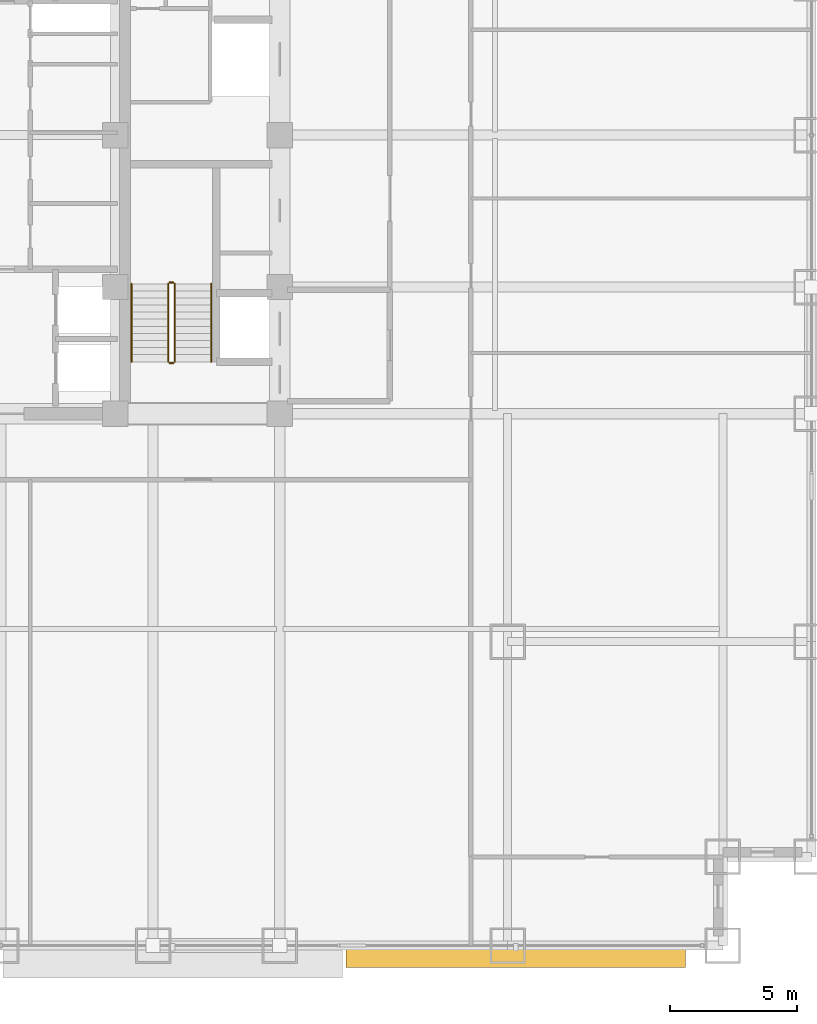
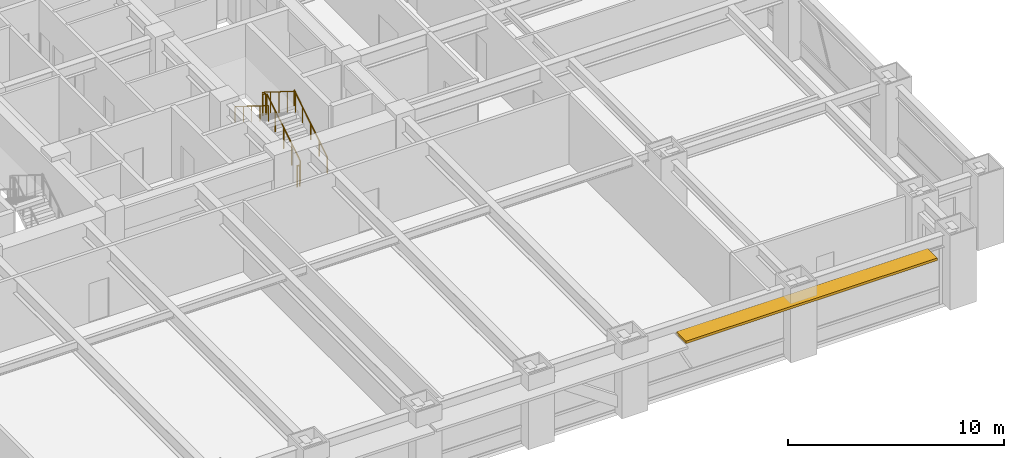
# One storey, part 30 of 32: 6 railings, 1 shading device.
"""IFC4 building model written with IfcOpenShell, lengths in metres."""

from ifc_helpers import new_model, si_unit, direction, frame, origin, origin_2d, place, context, subcontext, project, spatial, rectangle, circle, extrude, source, transform, mapped, material, layer, layer_set, type_object, element, save


model = new_model("IFC4")

# Units and contexts
model_context = context("Model", 3, precision=1e-05, world=origin(), true_north=direction((0.0, 1.0)))
body_context = subcontext(model_context, "Body", "Model", "MODEL_VIEW")
ifc_project = project(units=[si_unit("LENGTHUNIT", "METRE"), si_unit("AREAUNIT", "SQUARE_METRE"), si_unit("VOLUMEUNIT", "CUBIC_METRE"), si_unit("PLANEANGLEUNIT", "RADIAN"), si_unit("MASSUNIT", "GRAM", prefix="KILO")], contexts=[model_context])

# Site, building, storey
site_placement = place(None, origin())
site = spatial("IfcSite", under=ifc_project, at=site_placement, CompositionType="ELEMENT")
building_placement = place(site_placement, origin())
building = spatial("IfcBuilding", under=site, at=building_placement, Name="Khorayat Bourse Tower", CompositionType="ELEMENT")
storey_placement = place(building_placement, frame((0.0, 0.0, 74.60009765625)))
storey = spatial("IfcBuildingStorey", under=building, at=storey_placement, Name="L16", CompositionType="ELEMENT", Elevation=74.60009765625)

# Shading device
ifc_material_1 = material(Name="Precast concrete C45/55", Category="concrete")
ifc_layer = layer(ifc_material_1, 0.139892578125)
ifc_layer_set = layer_set([ifc_layer], Name="Precast concrete C45/55")
shading_device_type = type_object("IfcShadingDeviceType", Name="SHD-WAVE-TRAY-B", PredefinedType="USERDEFINED", material=ifc_layer_set)
shared_shape_1 = source(origin(), body_context, "Body", "SweptSolid", [
    extrude(rectangle(XDim=13.409912109375, YDim=0.892333984375, at=origin_2d()), origin(), (0.0, 0.0, 1.0), 0.139892578125),
])
shading_device_placement = place(storey_placement, frame((20.324951171875, -32.42626953125, 3.18994140625), z_axis=(0.0, 0.0, 1.0), x_axis=(1.0, 0.0, 0.0)))
element("IfcShadingDevice", 1, at=shading_device_placement, inside=storey, type_object=shading_device_type, Name="L16 Sinusoidal Wave Sunshade Tray S-4", ObjectType="SUNSHADE", PredefinedType="USERDEFINED", context=body_context, shape_type="MappedRepresentation", body=[
    mapped(shared_shape_1, transform((0.0, 0.0, 0.0), scale=1.0)),
])

# Railings
ifc_material_2 = material(Name="Powder-coated steel balustrade", Category="steel")
railing_type_1 = type_object("IfcRailingType", Name="RLG-GUARD-1200", PredefinedType="GUARDRAIL", material=ifc_material_2)
shared_shape_2 = source(origin(), body_context, "Body", "SweptSolid", [
    extrude(circle(Radius=0.02392578125, at=origin_2d()), frame((0.0, 0.0, 1.17578125), z_axis=(-1.0, 0.0, 0.0), x_axis=(0.0, -1.0, 0.0)), (0.0, 0.0, 1.0), 0.150146484375),
    extrude(circle(Radius=0.02099609375, at=origin_2d()), origin(), (0.0, 0.0, 1.0), 1.15185546875),
    extrude(circle(Radius=0.02099609375, at=origin_2d()), frame((-0.150146484375, 0.0, 0.0)), (0.0, 0.0, 1.0), 1.15185546875),
])
for number, where, name in (
    (2, (6.800048828125, -5.820068359375, 2.099853515625), "L16 ST-3 stair guard 2"),
    (3, (6.800048828125, -9.0, 0.0), "L16 ST-3 stair guard 4"),
):
    element("IfcRailing", number, at=place(storey_placement, frame(where)), inside=storey, type_object=railing_type_1, Name=name, PredefinedType="GUARDRAIL", context=body_context, shape_type="MappedRepresentation", body=[
        mapped(shared_shape_2, transform((0.0, 0.0, 0.0), scale=1.0)),
    ])
shared_shape_3 = source(origin(), body_context, "Body", "SweptSolid", [
    extrude(circle(Radius=0.02392578125, at=origin_2d()), frame((0.0, 0.0, 1.17578125), z_axis=(0.0, 0.847979421464, 0.530029150871), x_axis=(-1.0, 0.0, 0.0)), (0.0, 0.0, 1.0), 3.632080078125),
    extrude(circle(Radius=0.02099609375, at=origin_2d()), origin(), (0.0, 0.0, 1.0), 1.15185546875),
    extrude(circle(Radius=0.02099609375, at=origin_2d()), frame((0.0, 0.77001953125, 0.481201171875)), (0.0, 0.0, 1.0), 1.15185546875),
    extrude(circle(Radius=0.02099609375, at=origin_2d()), frame((0.0, 1.5400390625, 0.96240234375)), (0.0, 0.0, 1.0), 1.15185546875),
    extrude(circle(Radius=0.02099609375, at=origin_2d()), frame((0.0, 2.309814453125, 1.44384765625)), (0.0, 0.0, 1.0), 1.15185546875),
    extrude(circle(Radius=0.02099609375, at=origin_2d()), frame((0.0, 3.079833984375, 1.925048828125)), (0.0, 0.0, 1.0), 1.15185546875),
])
railing_1_placement = place(storey_placement, frame((6.85009765625, -8.949951171875, 0.1748046875)))
element("IfcRailing", 4, at=railing_1_placement, inside=storey, type_object=railing_type_1, Name="L16 ST-3 stair guard 1", PredefinedType="GUARDRAIL", context=body_context, shape_type="MappedRepresentation", body=[
    mapped(shared_shape_3, transform((0.0, 0.0, 0.0), scale=1.0)),
])
shared_shape_4 = source(origin(), body_context, "Body", "SweptSolid", [
    extrude(circle(Radius=0.02392578125, at=origin_2d()), frame((0.0, 0.0, 1.17578125), z_axis=(0.0, -0.847979421464, 0.530029150871), x_axis=(1.0, 0.0, 0.0)), (0.0, 0.0, 1.0), 3.632080078125),
    extrude(circle(Radius=0.02099609375, at=origin_2d()), origin(), (0.0, 0.0, 1.0), 1.15185546875),
    extrude(circle(Radius=0.02099609375, at=origin_2d()), frame((0.0, -0.77001953125, 0.481201171875)), (0.0, 0.0, 1.0), 1.15185546875),
    extrude(circle(Radius=0.02099609375, at=origin_2d()), frame((0.0, -1.5400390625, 0.96240234375)), (0.0, 0.0, 1.0), 1.15185546875),
    extrude(circle(Radius=0.02099609375, at=origin_2d()), frame((0.0, -2.309814453125, 1.44384765625)), (0.0, 0.0, 1.0), 1.15185546875),
    extrude(circle(Radius=0.02099609375, at=origin_2d()), frame((0.0, -3.079833984375, 1.925048828125)), (0.0, 0.0, 1.0), 1.15185546875),
])
railing_2_placement = place(storey_placement, frame((6.60009765625, -5.8701171875, 2.27490234375)))
element("IfcRailing", 5, at=railing_2_placement, inside=storey, type_object=railing_type_1, Name="L16 ST-3 stair guard 3", PredefinedType="GUARDRAIL", context=body_context, shape_type="MappedRepresentation", body=[
    mapped(shared_shape_4, transform((0.0, 0.0, 0.0), scale=1.0)),
])
ifc_material_3 = material(Name="Brushed bronze stainless-steel handrail", Category="steel")
railing_type_2 = type_object("IfcRailingType", Name="RLG-HAND-900", PredefinedType="HANDRAIL", material=ifc_material_3)
shared_shape_5 = source(origin(), body_context, "Body", "SweptSolid", [
    extrude(circle(Radius=0.02392578125, at=origin_2d()), frame((0.0, 0.0, 0.8759765625), z_axis=(0.0, 0.847979421464, 0.530029150871), x_axis=(-1.0, 0.0, 0.0)), (0.0, 0.0, 1.0), 3.632080078125),
    extrude(circle(Radius=0.02099609375, at=origin_2d()), origin(), (0.0, 0.0, 1.0), 0.851806640625),
    extrude(circle(Radius=0.02099609375, at=origin_2d()), frame((0.0, 0.77001953125, 0.481201171875)), (0.0, 0.0, 1.0), 0.851806640625),
    extrude(circle(Radius=0.02099609375, at=origin_2d()), frame((0.0, 1.5400390625, 0.96240234375)), (0.0, 0.0, 1.0), 0.851806640625),
    extrude(circle(Radius=0.02099609375, at=origin_2d()), frame((0.0, 2.309814453125, 1.44384765625)), (0.0, 0.0, 1.0), 0.851806640625),
    extrude(circle(Radius=0.02099609375, at=origin_2d()), frame((0.0, 3.079833984375, 1.925048828125)), (0.0, 0.0, 1.0), 0.851806640625),
])
railing_3_placement = place(storey_placement, frame((8.300048828125, -8.949951171875, 0.1748046875)))
element("IfcRailing", 6, at=railing_3_placement, inside=storey, type_object=railing_type_2, Name="L16 ST-3 stair handrail 1", PredefinedType="HANDRAIL", context=body_context, shape_type="MappedRepresentation", body=[
    mapped(shared_shape_5, transform((0.0, 0.0, 0.0), scale=1.0)),
])
shared_shape_6 = source(origin(), body_context, "Body", "SweptSolid", [
    extrude(circle(Radius=0.02392578125, at=origin_2d()), frame((0.0, 0.0, 0.8759765625), z_axis=(0.0, -0.847979421464, 0.530029150871), x_axis=(1.0, 0.0, 0.0)), (0.0, 0.0, 1.0), 3.632080078125),
    extrude(circle(Radius=0.02099609375, at=origin_2d()), origin(), (0.0, 0.0, 1.0), 0.851806640625),
    extrude(circle(Radius=0.02099609375, at=origin_2d()), frame((0.0, -0.77001953125, 0.481201171875)), (0.0, 0.0, 1.0), 0.851806640625),
    extrude(circle(Radius=0.02099609375, at=origin_2d()), frame((0.0, -1.5400390625, 0.96240234375)), (0.0, 0.0, 1.0), 0.851806640625),
    extrude(circle(Radius=0.02099609375, at=origin_2d()), frame((0.0, -2.309814453125, 1.44384765625)), (0.0, 0.0, 1.0), 0.851806640625),
    extrude(circle(Radius=0.02099609375, at=origin_2d()), frame((0.0, -3.079833984375, 1.925048828125)), (0.0, 0.0, 1.0), 0.851806640625),
])
railing_4_placement = place(storey_placement, frame((5.14990234375, -5.8701171875, 2.27490234375)))
element("IfcRailing", 7, at=railing_4_placement, inside=storey, type_object=railing_type_2, Name="L16 ST-3 stair handrail 2", PredefinedType="HANDRAIL", context=body_context, shape_type="MappedRepresentation", body=[
    mapped(shared_shape_6, transform((0.0, 0.0, 0.0), scale=1.0)),
])

save(model, "model.ifc")
